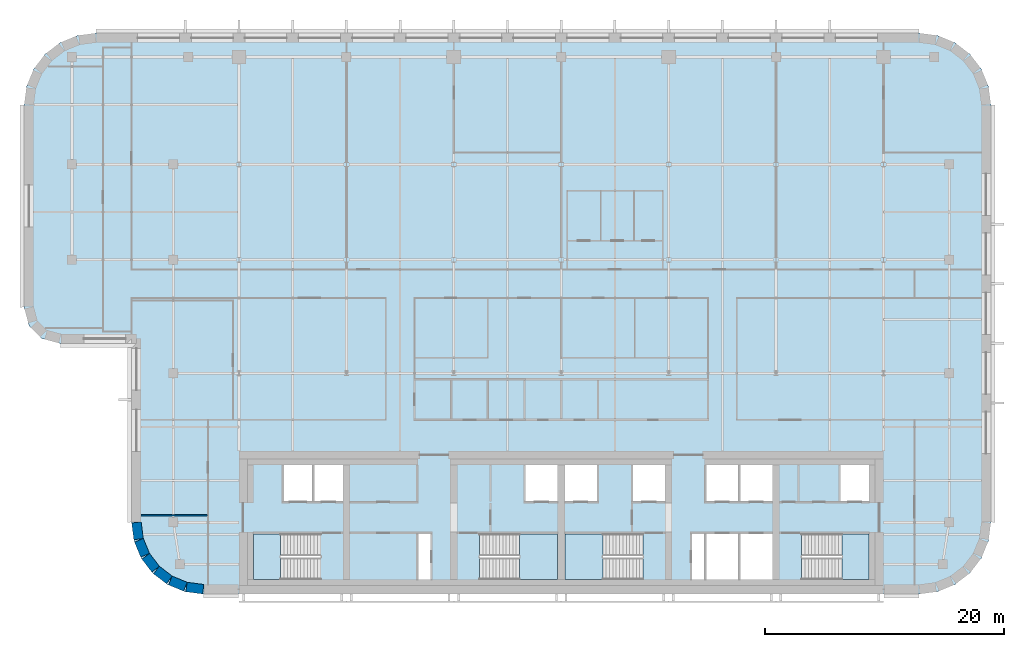
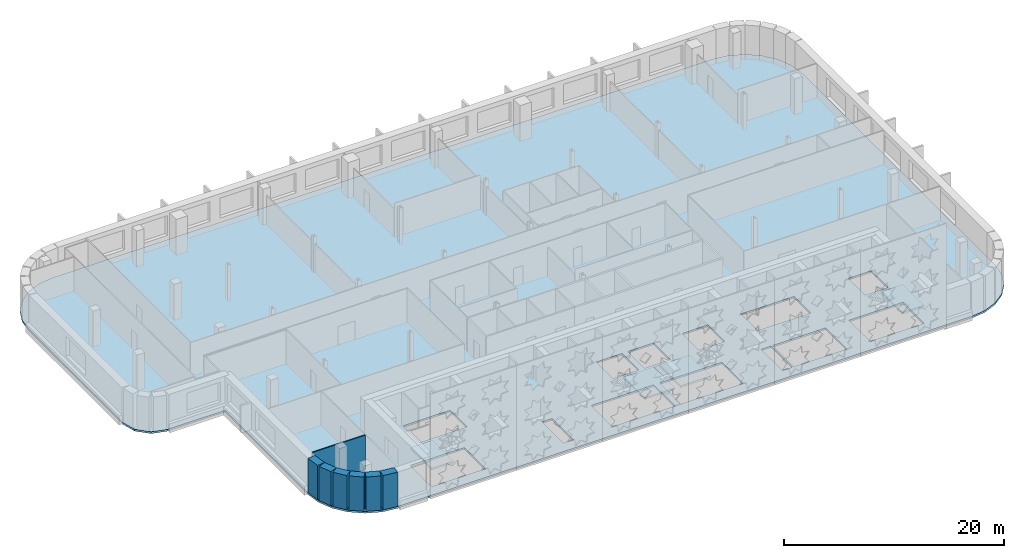
# One storey, part 6 of 17: 7 walls, 5 slabs, 4 elements without a shape of their own.
"""IFC4 building model written with IfcOpenShell, lengths in metres."""

from ifc_helpers import new_model, si_unit, direction, frame, frame_2d, origin, place, context, subcontext, project, spatial, polyline, rectangle, outline, extrude, material, layer, layer_set, type_object, element, aggregate, save


model = new_model("IFC4")

# Units and contexts
model_context = context("Model", 3, precision=1e-05, world=origin(), true_north=direction((0.0, 1.0)))
body_context = subcontext(model_context, "Body", "Model", "MODEL_VIEW")
ifc_project = project(units=[si_unit("LENGTHUNIT", "METRE"), si_unit("AREAUNIT", "SQUARE_METRE"), si_unit("VOLUMEUNIT", "CUBIC_METRE"), si_unit("PLANEANGLEUNIT", "RADIAN"), si_unit("MASSUNIT", "GRAM", prefix="KILO")], contexts=[model_context])

# Site, building, storey
site_placement = place(None, origin())
site = spatial("IfcSite", under=ifc_project, at=site_placement, CompositionType="ELEMENT")
building_placement = place(site_placement, origin())
building = spatial("IfcBuilding", under=site, at=building_placement, Name="Zellij Exchange Tower", CompositionType="ELEMENT")
storey_placement = place(building_placement, frame((0.0, 0.0, 252.5)))
storey = spatial("IfcBuildingStorey", under=building, at=storey_placement, Name="L59", CompositionType="ELEMENT", Elevation=252.5)

# Stair, slab
ifc_material_1 = material(Name="Concrete C40/50", Category="concrete")
stair_type = type_object("IfcStairType", Name="CORE-ST exit stair 1850 wide", PredefinedType="HALF_TURN_STAIR", material=ifc_material_1)
stair_1_placement = place(storey_placement, origin())
stair_1 = element("IfcStair", 1, at=stair_1_placement, inside=storey, type_object=stair_type, Name="L59 exit stair ST1", PredefinedType="HALF_TURN_STAIR")
ifc_layer_1 = layer(ifc_material_1, 0.199951171875)
ifc_layer_set_1 = layer_set([ifc_layer_1], Name="Concrete C40/50")
slab_type_1 = type_object("IfcSlabType", Name="CORE-SL stair landing 200", PredefinedType="LANDING", material=ifc_layer_set_1)
slab_1_placement = place(storey_placement, frame((0.0, 0.0, 1.800048828125)))
slab_1 = element("IfcSlab", 2, at=slab_1_placement, type_object=slab_type_1, Name="ST1 landing 1", PredefinedType="LANDING", context=body_context, shape_type="SweptSolid", body=[
    extrude(outline(polyline([(-23.510009765625, -8.949951171875), (-25.800048828125, -8.949951171875), (-25.800048828125, -12.800048828125), (-23.510009765625, -12.800048828125), (-23.510009765625, -8.949951171875)])), origin(), (0.0, 0.0, 1.0), 0.199951171875),
])
aggregate(stair_1, [slab_1])

stair_2_placement = place(storey_placement, origin())
stair_2 = element("IfcStair", 3, at=stair_2_placement, inside=storey, type_object=stair_type, Name="L59 exit stair ST2", PredefinedType="HALF_TURN_STAIR")
slab_2_placement = place(storey_placement, frame((0.0, 0.0, 1.800048828125)))
slab_2 = element("IfcSlab", 4, at=slab_2_placement, type_object=slab_type_1, Name="ST2 landing 1", PredefinedType="LANDING", context=body_context, shape_type="SweptSolid", body=[
    extrude(outline(polyline([(-3.489990234375, -12.800048828125), (-0.300048828125, -12.800048828125), (-0.300048828125, -8.949951171875), (-3.489990234375, -8.949951171875), (-3.489990234375, -12.800048828125)])), origin(), (0.0, 0.0, 1.0), 0.199951171875),
])
aggregate(stair_2, [slab_2])

stair_3_placement = place(storey_placement, origin())
stair_3 = element("IfcStair", 5, at=stair_3_placement, inside=storey, type_object=stair_type, Name="L59 exit stair ST3", PredefinedType="HALF_TURN_STAIR")
slab_3_placement = place(storey_placement, frame((0.0, 0.0, 1.800048828125)))
slab_3 = element("IfcSlab", 6, at=slab_3_placement, type_object=slab_type_1, Name="ST3 landing 1", PredefinedType="LANDING", context=body_context, shape_type="SweptSolid", body=[
    extrude(outline(polyline([(3.489990234375, -8.949951171875), (0.300048828125, -8.949951171875), (0.300048828125, -12.800048828125), (3.489990234375, -12.800048828125), (3.489990234375, -8.949951171875)])), origin(), (0.0, 0.0, 1.0), 0.199951171875),
])
aggregate(stair_3, [slab_3])

stair_4_placement = place(storey_placement, origin())
stair_4 = element("IfcStair", 7, at=stair_4_placement, inside=storey, type_object=stair_type, Name="L59 exit stair ST4", PredefinedType="HALF_TURN_STAIR")
slab_4_placement = place(storey_placement, frame((0.0, 0.0, 1.800048828125)))
slab_4 = element("IfcSlab", 8, at=slab_4_placement, type_object=slab_type_1, Name="ST4 landing 1", PredefinedType="LANDING", context=body_context, shape_type="SweptSolid", body=[
    extrude(outline(polyline([(23.510009765625, -12.800048828125), (25.800048828125, -12.800048828125), (25.800048828125, -8.949951171875), (23.510009765625, -8.949951171875), (23.510009765625, -12.800048828125)])), origin(), (0.0, 0.0, 1.0), 0.199951171875),
])
aggregate(stair_4, [slab_4])

# Slab
ifc_layer_2 = layer(ifc_material_1, 0.199951171875)
ifc_layer_set_2 = layer_set([ifc_layer_2], Name="Concrete C40/50")
slab_type_2 = type_object("IfcSlabType", Name="STR-FLOOR SLAB 200 C40/50", PredefinedType="FLOOR", material=ifc_layer_set_2)
slab_5_placement = place(storey_placement, frame((0.0, 0.0, -0.2001953125)))
element("IfcSlab", 9, at=slab_5_placement, inside=storey, type_object=slab_type_2, Name="Floor L59", PredefinedType="FLOOR", context=body_context, shape_type="SweptSolid", body=[
    extrude(outline(polyline([(31.552978515625, 32.795654296875), (33.0, 32.1962890625), (34.24267578125, 31.24267578125), (35.1962890625, 30.0), (35.795654296875, 28.552978515625), (36.0, 27.0), (36.0, -8.0), (35.795654296875, -9.552978515625), (35.1962890625, -11.0), (34.24267578125, -12.24267578125), (33.0, -13.1962890625), (31.552978515625, -13.795654296875), (30.0, -14.0), (-30.0, -14.0), (-31.552978515625, -13.795654296875), (-33.0, -13.1962890625), (-34.24267578125, -12.24267578125), (-35.1962890625, -11.0), (-35.795654296875, -9.552978515625), (-36.0, -8.0), (-36.0, 7.0), (-42.0, 7.0), (-43.5, 7.40185546875), (-44.59814453125, 8.5), (-45.0, 10.0), (-45.0, 27.0), (-44.795654296875, 28.552978515625), (-44.1962890625, 30.0), (-43.24267578125, 31.24267578125), (-42.0, 32.1962890625), (-40.552978515625, 32.795654296875), (-39.0, 33.0), (30.0, 33.0), (31.552978515625, 32.795654296875)]), holes=[polyline([(-25.800048828125, -8.949951171875), (-25.800048828125, -12.800048828125), (-20.153076171875, -12.800048828125), (-20.153076171875, -8.949951171875), (-25.800048828125, -8.949951171875)]), polyline([(-10.949951171875, -8.949951171875), (-12.0, -8.949951171875), (-12.0, -12.800048828125), (-10.949951171875, -12.800048828125), (-10.949951171875, -8.949951171875)]), polyline([(-0.300048828125, -8.949951171875), (-6.846923828125, -8.949951171875), (-6.846923828125, -12.800048828125), (-0.300048828125, -12.800048828125), (-0.300048828125, -8.949951171875)]), polyline([(0.300048828125, -8.949951171875), (0.300048828125, -12.800048828125), (6.846923828125, -12.800048828125), (6.846923828125, -8.949951171875), (0.300048828125, -8.949951171875)]), polyline([(-18.300048828125, -3.199951171875), (-23.25, -3.199951171875), (-23.25, -6.22509765625), (-18.300048828125, -6.22509765625), (-18.300048828125, -3.199951171875)]), polyline([(-0.300048828125, -3.199951171875), (-3.0, -3.199951171875), (-3.0, -6.22509765625), (-0.300048828125, -6.22509765625), (-0.300048828125, -3.199951171875)]), polyline([(0.300048828125, -3.199951171875), (0.300048828125, -6.22509765625), (3.0, -6.22509765625), (3.0, -3.199951171875), (0.300048828125, -3.199951171875)]), polyline([(12.0, -8.949951171875), (10.949951171875, -8.949951171875), (10.949951171875, -12.800048828125), (12.0, -12.800048828125), (12.0, -8.949951171875)]), polyline([(17.699951171875, -8.949951171875), (12.14990234375, -8.949951171875), (12.14990234375, -12.800048828125), (17.699951171875, -12.800048828125), (17.699951171875, -8.949951171875)]), polyline([(25.800048828125, -8.949951171875), (20.153076171875, -8.949951171875), (20.153076171875, -12.800048828125), (25.800048828125, -12.800048828125), (25.800048828125, -8.949951171875)]), polyline([(8.699951171875, -3.199951171875), (6.0, -3.199951171875), (6.0, -6.22509765625), (8.699951171875, -6.22509765625), (8.699951171875, -3.199951171875)]), polyline([(17.699951171875, -3.199951171875), (12.14990234375, -3.199951171875), (12.14990234375, -6.22509765625), (17.699951171875, -6.22509765625), (17.699951171875, -3.199951171875)]), polyline([(25.800048828125, -3.199951171875), (23.39990234375, -3.199951171875), (23.39990234375, -6.22509765625), (25.800048828125, -6.22509765625), (25.800048828125, -3.199951171875)])]), origin(), (0.0, 0.0, 1.0), 0.2001953125),
])

# Walls
ifc_material_2 = material(Name="Precast concrete C40/50", Category="concrete")
ifc_layer_3 = layer(ifc_material_2, 0.800048828125)
ifc_layer_set_3 = layer_set([ifc_layer_3], Name="Precast concrete C40/50")
wall_type_1 = type_object("IfcWallType", Name="ENV-EW1 Precast stone-piered wall 800", PredefinedType="SOLIDWALL", material=ifc_layer_set_3)
wall_1_placement = place(storey_placement, frame((-35.5966796875, -7.999755859375, 0.0), z_axis=(0.0, 0.0, 1.0), x_axis=(0.130517283865, -0.99144603414, 0.0)))
element("IfcWall", 10, at=wall_1_placement, inside=storey, type_object=wall_type_1, Name="fac.L59.27", PredefinedType="SOLIDWALL", context=body_context, shape_type="SweptSolid", body=[
    extrude(rectangle(XDim=1.408447265625, YDim=0.800048828125, at=frame_2d((0.7041015625, 0.0))), origin(), (0.0, 0.0, 1.0), 3.800048828125),
])
wall_2_placement = place(storey_placement, frame((-35.3857421875, -9.497314453125, 0.0), z_axis=(0.0, 0.0, 1.0), x_axis=(0.38276009378, -0.923847774587, 0.0)))
element("IfcWall", 11, at=wall_2_placement, inside=storey, type_object=wall_type_1, Name="fac.L59.28", PredefinedType="SOLIDWALL", context=body_context, shape_type="SweptSolid", body=[
    extrude(rectangle(XDim=1.35546875, YDim=0.800048828125, at=frame_2d((0.677734375, 0.0))), origin(), (0.0, 0.0, 1.0), 3.800048828125),
])
for number, where, z_axis, x_axis, name in (
    (12, (-34.814697265625, -10.840087890625, 0.0), (0.0, 0.0, 1.0), (0.608866226366, -0.793272915452, 0.0), "fac.L59.29"),
    (13, (-33.91552734375, -11.9892578125, 0.0), (0.0, 0.0, 1.0), (0.793272915452, -0.608866226366, 0.0), "fac.L59.30"),
):
    element("IfcWall", number, at=place(storey_placement, frame(where, z_axis=z_axis, x_axis=x_axis)), inside=storey, type_object=wall_type_1, Name=name, PredefinedType="SOLIDWALL", context=body_context, shape_type="SweptSolid", body=[
        extrude(rectangle(XDim=1.355712890625, YDim=0.800048828125, at=frame_2d((0.677734375, 0.0))), origin(), (0.0, 0.0, 1.0), 3.800048828125),
    ])
wall_3_placement = place(storey_placement, frame((-32.74951171875, -12.866943359375, 0.0), z_axis=(0.0, 0.0, 1.0), x_axis=(0.923847774587, -0.38276009378, 0.0)))
element("IfcWall", 14, at=wall_3_placement, inside=storey, type_object=wall_type_1, Name="fac.L59.31", PredefinedType="SOLIDWALL", context=body_context, shape_type="SweptSolid", body=[
    extrude(rectangle(XDim=1.35546875, YDim=0.800048828125, at=frame_2d((0.677734375, 0.0))), origin(), (0.0, 0.0, 1.0), 3.800048828125),
])
wall_4_placement = place(storey_placement, frame((-31.396240234375, -13.412841796875, 0.0), z_axis=(0.0, 0.0, 1.0), x_axis=(0.99144603414, -0.130517283865, 0.0)))
element("IfcWall", 15, at=wall_4_placement, inside=storey, type_object=wall_type_1, Name="fac.L59.32", PredefinedType="SOLIDWALL", context=body_context, shape_type="SweptSolid", body=[
    extrude(rectangle(XDim=1.408447265625, YDim=0.800048828125, at=frame_2d((0.7041015625, 0.0))), origin(), (0.0, 0.0, 1.0), 3.800048828125),
])
ifc_material_3 = material(Name="Gypsum board partition on steel studs", Category="steel")
ifc_layer_4 = layer(ifc_material_3, 0.10009765625)
ifc_layer_set_4 = layer_set([ifc_layer_4], Name="Gypsum board partition on steel studs")
wall_type_2 = type_object("IfcWallType", Name="FIT-PARTITION-100", PredefinedType="PARTITIONING", material=ifc_layer_set_4)
wall_5_placement = place(storey_placement, frame((-35.199951171875, -7.39990234375, 0.0), z_axis=(0.0, 0.0, 1.0), x_axis=(1.0, 0.0, 0.0)))
element("IfcWall", 16, at=wall_5_placement, inside=storey, type_object=wall_type_2, Name="FIT-PARTITION-100 003", PredefinedType="PARTITIONING", context=body_context, shape_type="SweptSolid", body=[
    extrude(rectangle(XDim=5.550048828125, YDim=0.10009765625, at=frame_2d((2.77490234375, 0.0))), origin(), (0.0, 0.0, 1.0), 3.800048828125),
])

save(model, "model.ifc")
